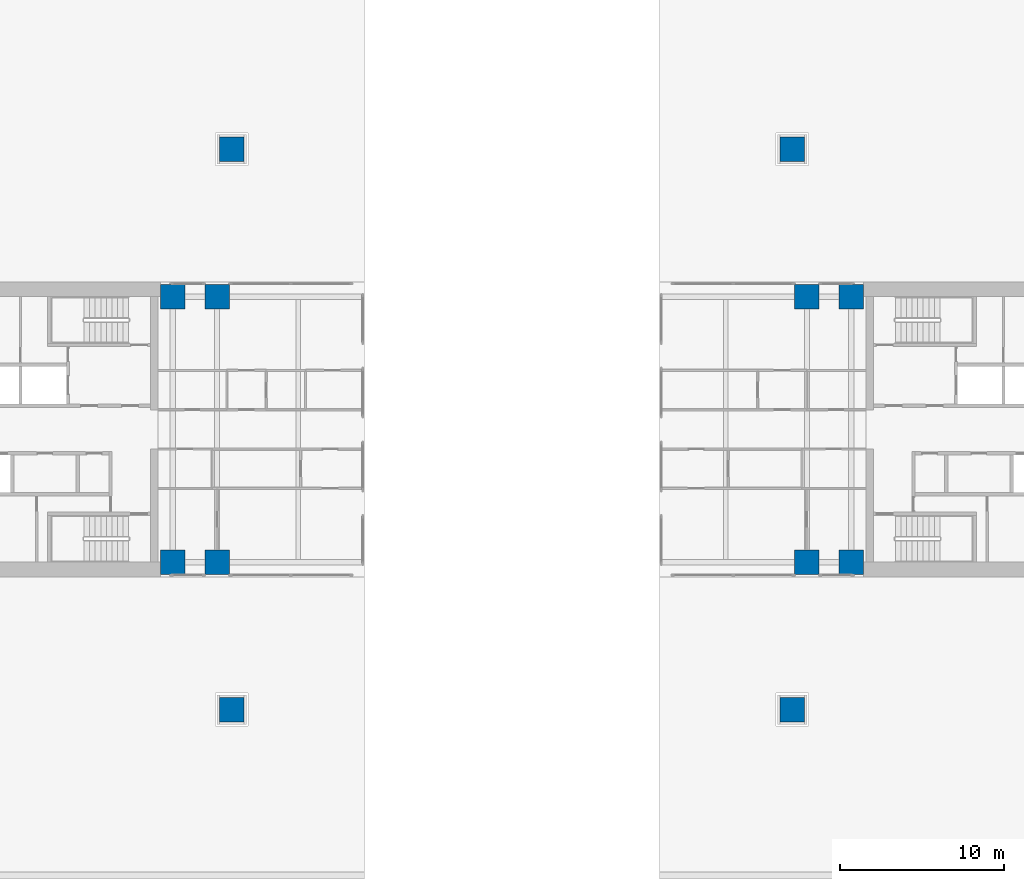
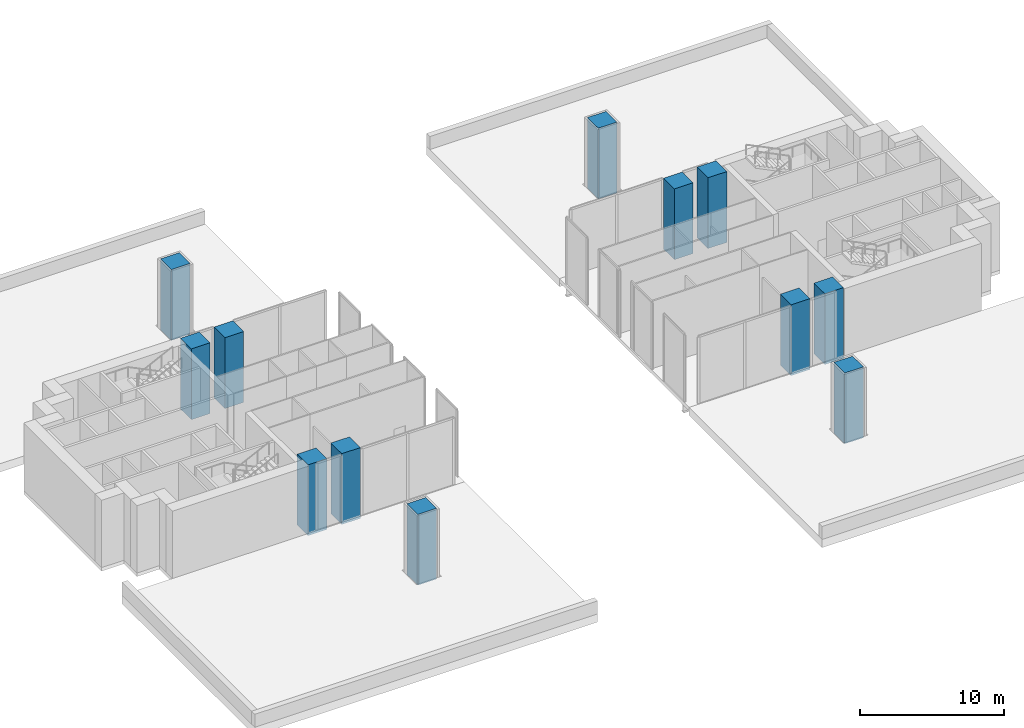
# One storey, part 1 of 13: 12 columns.
"""IFC4 building model written with IfcOpenShell, lengths in metres."""

from ifc_helpers import new_model, si_unit, direction, frame, origin, origin_2d, place, context, subcontext, project, spatial, rectangle, extrude, material, material_profile, profile_set, type_object, element, save


model = new_model("IFC4")

# Units and contexts
model_context = context("Model", 3, precision=1e-05, world=origin(), true_north=direction((0.0, 1.0)))
body_context = subcontext(model_context, "Body", "Model", "MODEL_VIEW")
ifc_project = project(units=[si_unit("LENGTHUNIT", "METRE"), si_unit("AREAUNIT", "SQUARE_METRE"), si_unit("VOLUMEUNIT", "CUBIC_METRE"), si_unit("PLANEANGLEUNIT", "RADIAN"), si_unit("MASSUNIT", "GRAM", prefix="KILO")], contexts=[model_context])

# Site, building, storey
site_placement = place(None, origin())
site = spatial("IfcSite", under=ifc_project, at=site_placement, CompositionType="ELEMENT")
building_placement = place(site_placement, origin())
building = spatial("IfcBuilding", under=site, at=building_placement, Name="Perihelion Cross Residences", CompositionType="ELEMENT")
storey_placement = place(building_placement, frame((0.0, 0.0, 15.0)))
storey = spatial("IfcBuildingStorey", under=building, at=storey_placement, Name="L01", CompositionType="ELEMENT", Elevation=15.0)

# Columns
ifc_material = material(Name="Concrete C80/95", Category="concrete")
ifc_material_profile = material_profile(ifc_material, rectangle(XDim=1.5, YDim=1.5, at=origin_2d()), Name="RC 1500x1500")
ifc_profile_set = profile_set([ifc_material_profile], Name="Concrete C80/95")
column_type = type_object("IfcColumnType", Name="Reinforced concrete column 1500x1500 C80/95", PredefinedType="COLUMN", material=ifc_profile_set)
for number, where, z_axis, x_axis, name in (
    (1, (-20.699951171875, -8.10009765625, -0.300048828125), (0.0, 0.0, 1.0), (1.0, 0.0, 0.0), "Column C017 L01 no. 1"),
    (2, (-20.699951171875, 8.10009765625, -0.300048828125), (0.0, 0.0, 1.0), (1.0, 0.0, 0.0), "Column C010 L01 no. 1"),
    (3, (-18.0, -8.10009765625, -0.300048828125), (0.0, 0.0, 1.0), (1.0, 0.0, 0.0), "Column C018 L01 no. 1"),
    (4, (-18.0, 8.10009765625, -0.300048828125), (0.0, 0.0, 1.0), (1.0, 0.0, 0.0), "Column C011 L01 no. 1"),
    (5, (18.0, -8.10009765625, -0.300048828125), (0.0, 0.0, 1.0), (1.0, 0.0, 0.0), "Column C021 L01 no. 1"),
    (6, (18.0, 8.10009765625, -0.300048828125), (0.0, 0.0, 1.0), (1.0, 0.0, 0.0), "Column C015 L01 no. 1"),
    (7, (20.699951171875, -8.10009765625, -0.300048828125), (0.0, 0.0, 1.0), (1.0, 0.0, 0.0), "Column C022 L01 no. 1"),
    (8, (20.699951171875, 8.10009765625, -0.300048828125), (0.0, 0.0, 1.0), (1.0, 0.0, 0.0), "Column C016 L01 no. 1"),
    (9, (17.10009765625, 17.10009765625, -0.300048828125), (0.0, 0.0, 1.0), (1.0, 0.0, 0.0), "Column C009 L01 no. 1"),
    (10, (-17.10009765625, 17.10009765625, -0.300048828125), (0.0, 0.0, 1.0), (1.0, 0.0, 0.0), "Column C008 L01 no. 1"),
    (11, (-17.10009765625, -17.10009765625, -0.300048828125), (0.0, 0.0, 1.0), (1.0, 0.0, 0.0), "Column C030 L01 no. 1"),
    (12, (17.10009765625, -17.10009765625, -0.300048828125), (0.0, 0.0, 1.0), (1.0, 0.0, 0.0), "Column C036 L01 no. 1"),
):
    element("IfcColumn", number, at=place(storey_placement, frame(where, z_axis=z_axis, x_axis=x_axis)), inside=storey, type_object=column_type, Name=name, PredefinedType="COLUMN", context=body_context, shape_type="SweptSolid", body=[
        extrude(rectangle(XDim=1.5, YDim=1.5, at=origin_2d()), origin(), (0.0, 0.0, 1.0), 6.0),
    ])

save(model, "model.ifc")
